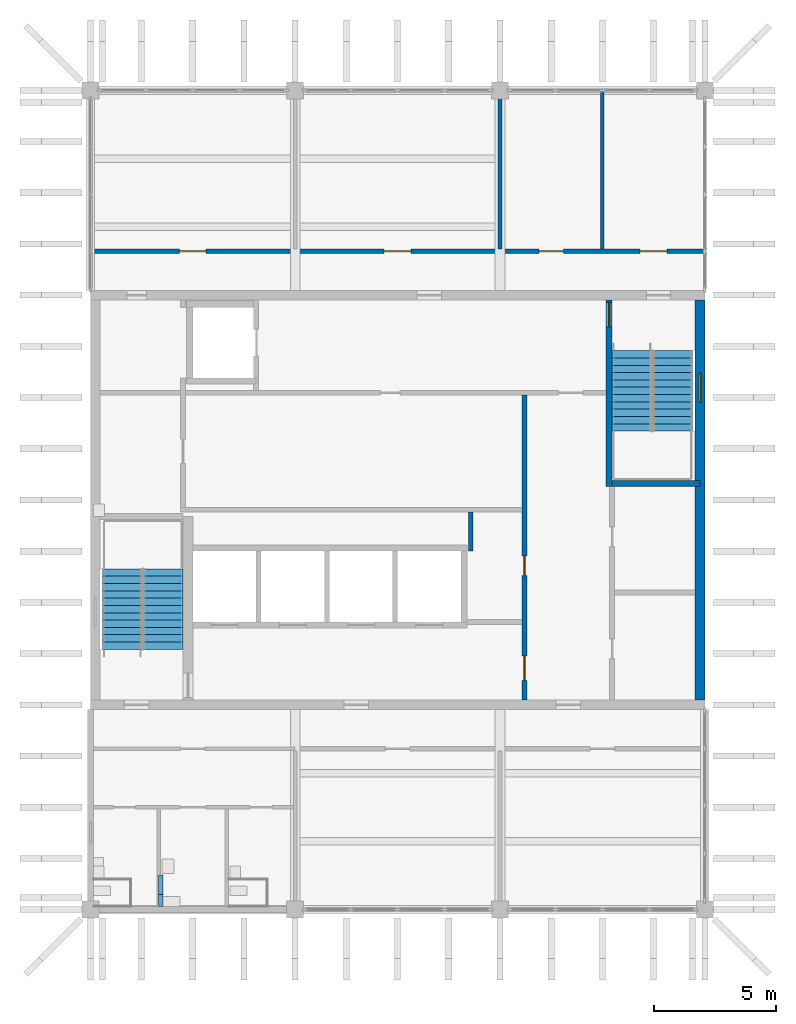
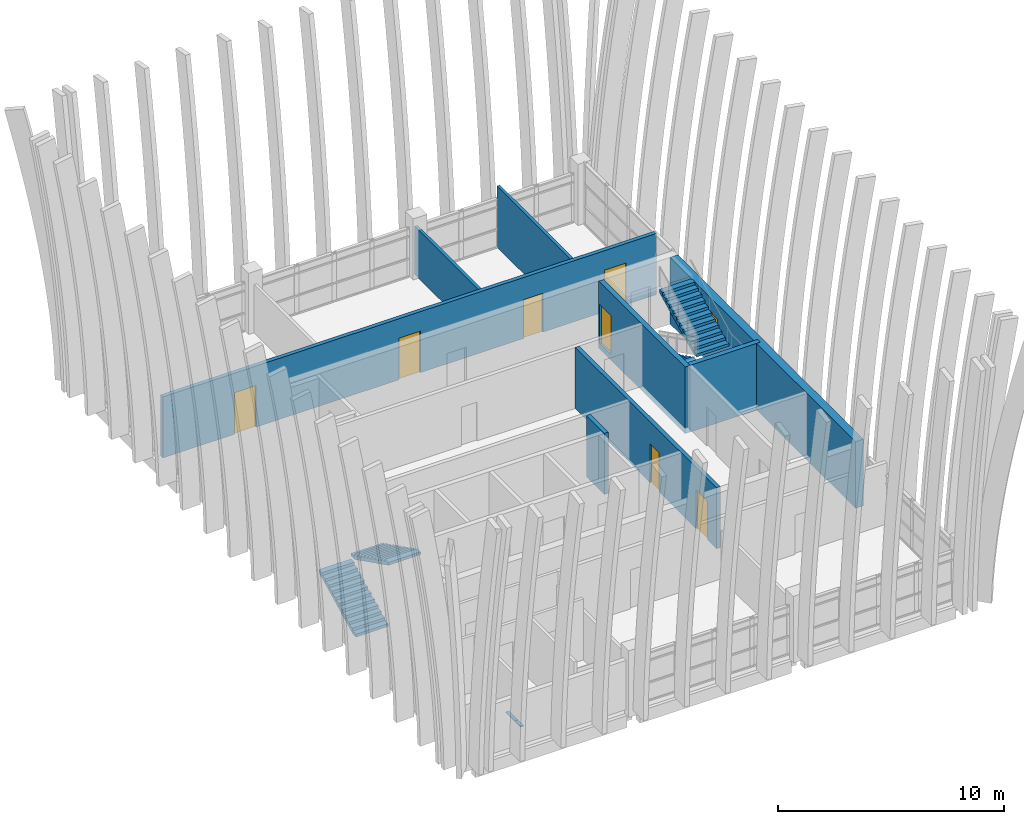
# One storey, part 7 of 19: 8 walls, 7 doors, 4 stair flights, 2 discrete accessories, 1 window, 8 openings, 2 elements without a shape of their own.
"""IFC4 building model written with IfcOpenShell, lengths in metres."""

import ifcopenshell
import ifcopenshell.guid

model = None  # the IFC model being written
_history = None  # IfcOwnerHistory: only IFC2X3 demands one
_inside = {}  # id of a spatial element -> (the spatial element, [elements in it])
_under = {}  # id of a project, library or spatial element -> (it, [spatial elements below it])
_declared = {}  # id of a project -> (the project, [libraries it declares])
_typed = {}  # id of a type object -> (the type object, [elements of that type])
_made_of = {}  # id of a material, layer set ... -> (it, [elements and type objects made of it])


def new_model(schema):
    """Start an empty IFC model of exactly this schema.

    Asked for "IFC4X3", IfcOpenShell would pick the latest addendum, in which some entities
    have other attributes; the version numbers below select the first issue.
    IFC2X3 requires an IfcOwnerHistory on every rooted entity: one is made here for all.
    """
    global model, _history
    if schema == "IFC4X3":
        model = ifcopenshell.file(schema_version=(4, 3, 0, 0))
    else:
        model = ifcopenshell.file(schema=schema)
    _inside.clear()
    _under.clear()
    _declared.clear()
    _typed.clear()
    _made_of.clear()
    _history = None
    if model.schema == "IFC2X3":
        org = make("IfcOrganization", Name="unknown")
        user = make(
            "IfcPersonAndOrganization",
            ThePerson=make("IfcPerson", FamilyName="unknown"),
            TheOrganization=org,
        )
        app = make(
            "IfcApplication",
            ApplicationDeveloper=org,
            Version="unknown",
            ApplicationFullName="unknown",
            ApplicationIdentifier="unknown",
        )
        _history = make(
            "IfcOwnerHistory",
            OwningUser=user,
            OwningApplication=app,
            ChangeAction="ADDED",
            CreationDate=0,
        )
    return model


def make(cls, **values):
    """One entity of the class cls with the attributes given. An attribute that is None is left unset."""
    return model.create_entity(
        cls, **{name: value for name, value in values.items() if value is not None}
    )


def rooted(cls, **values):
    """An entity with a GlobalId (a new one), such as an element, a storey or a relation."""
    return make(cls, GlobalId=ifcopenshell.guid.new(), OwnerHistory=_history, **values)


def si_unit(unit_type, name, prefix=None):
    """IfcSIUnit, for example si_unit("LENGTHUNIT", "METRE", prefix="MILLI")."""
    return make("IfcSIUnit", UnitType=unit_type, Prefix=prefix, Name=name)


def assignment(units):
    """IfcUnitAssignment: the units of a project."""
    return None if units is None else make("IfcUnitAssignment", Units=units)


def point(xyz):
    """IfcCartesianPoint."""
    return None if xyz is None else make("IfcCartesianPoint", Coordinates=xyz)


def direction(xyz):
    """IfcDirection."""
    return None if xyz is None else make("IfcDirection", DirectionRatios=xyz)


def frame(location, z_axis=None, x_axis=None):
    """IfcAxis2Placement3D, a coordinate frame: its origin and axes. An axis left out is left unset."""
    return make(
        "IfcAxis2Placement3D",
        Location=point(location),
        Axis=direction(z_axis),
        RefDirection=direction(x_axis),
    )


def frame_2d(location, x_axis=None):
    """IfcAxis2Placement2D, a coordinate frame in the plane: its origin and x axis."""
    return make(
        "IfcAxis2Placement2D", Location=point(location), RefDirection=direction(x_axis)
    )


def origin():
    """The frame at (0, 0, 0) with its axes left unset."""
    return frame((0.0, 0.0, 0.0))


def origin_2d():
    """The frame at (0, 0) in the plane with its x axis left unset."""
    return frame_2d((0.0, 0.0))


def place(relative_to, where):
    """IfcLocalPlacement: puts the frame where relative to a parent placement (None: the world)."""
    return make(
        "IfcLocalPlacement", PlacementRelTo=relative_to, RelativePlacement=where
    )


def context(
    kind, dimensions, precision=None, world=None, true_north=None, identifier=None
):
    """IfcGeometricRepresentationContext, for example the 3D "Model" context."""
    return make(
        "IfcGeometricRepresentationContext",
        ContextIdentifier=identifier,
        ContextType=kind,
        CoordinateSpaceDimension=dimensions,
        Precision=precision,
        WorldCoordinateSystem=world,
        TrueNorth=true_north,
    )


def subcontext(parent, identifier, kind, view, scale=None):
    """IfcGeometricRepresentationSubContext, for example "Body" below "Model"."""
    return make(
        "IfcGeometricRepresentationSubContext",
        ContextIdentifier=identifier,
        ContextType=kind,
        ParentContext=parent,
        TargetScale=scale,
        TargetView=view,
    )


def project(units=None, contexts=None):
    """IfcProject with its units and contexts."""
    return rooted(
        "IfcProject",
        Name="project",
        RepresentationContexts=contexts,
        UnitsInContext=assignment(units),
    )


def spatial(cls, under=None, at=None, **own):
    """A site, building, storey or space (cls), placed at a placement, below another one or the project."""
    s = rooted(cls, ObjectPlacement=at, **own)
    if under is not None:
        _under.setdefault(under.id(), (under, []))[1].append(s)
    return s


def polyline(points):
    """IfcPolyline through the points."""
    return make("IfcPolyline", Points=[point(p) for p in points])


def profile(cls, at=None, kind="AREA", **sizes):
    """A parametric profile (cls). Its sizes go by their IFC names, for example OverallWidth=200.0."""
    return make(cls, ProfileType=kind, Position=at, **sizes)


def rectangle(**sizes):
    """IfcRectangleProfileDef."""
    return profile("IfcRectangleProfileDef", **sizes)


def outline(outer, holes=None, kind="AREA"):
    """IfcArbitraryClosedProfileDef: a profile drawn as a closed curve; with holes, ...WithVoids."""
    if holes is None:
        return make("IfcArbitraryClosedProfileDef", ProfileType=kind, OuterCurve=outer)
    return make(
        "IfcArbitraryProfileDefWithVoids",
        ProfileType=kind,
        OuterCurve=outer,
        InnerCurves=holes,
    )


def extrude(swept, where, along, depth):
    """IfcExtrudedAreaSolid: the profile swept, set in the frame where, extruded along a direction by depth."""
    return make(
        "IfcExtrudedAreaSolid",
        SweptArea=swept,
        Position=where,
        ExtrudedDirection=direction(along),
        Depth=depth,
    )


def shape(context_of_items, identifier, shape_type, items):
    """IfcShapeRepresentation: the items that make up one representation, for example the "Body"."""
    return make(
        "IfcShapeRepresentation",
        ContextOfItems=context_of_items,
        RepresentationIdentifier=identifier,
        RepresentationType=shape_type,
        Items=items,
    )


def material(Name=None, Category=None):
    """IfcMaterial."""
    return make("IfcMaterial", Name=Name, Category=Category)


def layer(
    of_material, thickness, ventilated=None, Name=None, Category=None, Priority=None
):
    """IfcMaterialLayer: one layer of a wall or slab, of a material (None: an air gap)."""
    return make(
        "IfcMaterialLayer",
        Material=of_material,
        LayerThickness=thickness,
        IsVentilated=ventilated,
        Name=Name,
        Category=Category,
        Priority=Priority,
    )


def layer_set(layers, Name=None):
    """IfcMaterialLayerSet."""
    return make("IfcMaterialLayerSet", MaterialLayers=layers, LayerSetName=Name)


def made_of(thing, what):
    """Note that an element or type object is made of a material, layer set ...; save() writes the relation."""
    if what is not None:
        _made_of.setdefault(what.id(), (what, []))[1].append(thing)
    return thing


def type_object(cls, material=None, **own):
    """A type object (cls), such as IfcWallType, which elements share."""
    return made_of(rooted(cls, **own), material)


def element(
    cls,
    number,
    at=None,
    inside=None,
    cuts=None,
    type_object=None,
    material=None,
    context=None,
    identifier="Body",
    shape_type=None,
    held_by="IfcProductDefinitionShape",
    body=None,
    shapes=None,
    **own,
):
    """One element of the class cls, such as IfcWall. Its Tag is "e" and its number.

    at: its placement. inside: the storey or other place that contains it. cuts: it is an
    opening in that element (IfcRelVoidsElement). A single representation is given by context,
    identifier, shape_type and body (its items); several are given by shapes. held_by: the class
    of the entity that holds the representations. save() writes the other relations.
    """
    e = rooted(cls, Tag="e%d" % number, ObjectPlacement=at, **own)
    if body is not None:
        shapes = [shape(context, identifier, shape_type, body)]
    if shapes is not None:
        e.Representation = make(held_by, Representations=shapes)
    if inside is not None:
        _inside.setdefault(inside.id(), (inside, []))[1].append(e)
    if cuts is not None:
        rooted(
            "IfcRelVoidsElement", RelatingBuildingElement=cuts, RelatedOpeningElement=e
        )
    if type_object is not None:
        _typed.setdefault(type_object.id(), (type_object, []))[1].append(e)
    return made_of(e, material)


def fill(opening, filler):
    """IfcRelFillsElement: the door or window that sits in an opening."""
    return rooted(
        "IfcRelFillsElement",
        RelatingOpeningElement=opening,
        RelatedBuildingElement=filler,
    )


def aggregate(whole, parts):
    """IfcRelAggregates: a whole, such as a stair, and the parts it consists of."""
    return rooted("IfcRelAggregates", RelatingObject=whole, RelatedObjects=parts)


def save(model, path):
    """Write the relations noted so far, then the file.

    IfcRelAggregates (storeys below a building ...), IfcRelContainedInSpatialStructure (elements
    in a storey), IfcRelDefinesByType, IfcRelAssociatesMaterial and IfcRelDeclares: one each for
    every whole, place, type object, material and project.
    """
    for whole, parts in _under.values():
        aggregate(whole, parts)
    for where, things in _inside.values():
        rooted(
            "IfcRelContainedInSpatialStructure",
            RelatedElements=things,
            RelatingStructure=where,
        )
    for kind, things in _typed.values():
        rooted("IfcRelDefinesByType", RelatedObjects=things, RelatingType=kind)
    for what, things in _made_of.values():
        rooted("IfcRelAssociatesMaterial", RelatedObjects=things, RelatingMaterial=what)
    for by, libraries in _declared.values():
        rooted("IfcRelDeclares", RelatingContext=by, RelatedDefinitions=libraries)
    model.write(path)


model = new_model("IFC4")

# Units and contexts
model_context = context("Model", 3, precision=1e-05, world=origin(), true_north=direction((0.0, 1.0)))
body_context = subcontext(model_context, "Body", "Model", "MODEL_VIEW")
ifc_project = project(units=[si_unit("LENGTHUNIT", "METRE"), si_unit("AREAUNIT", "SQUARE_METRE"), si_unit("VOLUMEUNIT", "CUBIC_METRE"), si_unit("PLANEANGLEUNIT", "RADIAN"), si_unit("MASSUNIT", "GRAM", prefix="KILO")], contexts=[model_context])

# Site, building, storey
site_placement = place(None, origin())
site = spatial("IfcSite", under=ifc_project, at=site_placement, CompositionType="ELEMENT")
building_placement = place(site_placement, origin())
building = spatial("IfcBuilding", under=site, at=building_placement, Name="Rulbaag Community and Learning Centre", CompositionType="ELEMENT")
storey_placement = place(building_placement, frame((0.0, 0.0, 57.60009765625)))
storey = spatial("IfcBuildingStorey", under=building, at=storey_placement, Name="L15", CompositionType="ELEMENT", Elevation=57.60009765625)

# Wall, openings, doors
ifc_material_1 = material(Name="Concrete blockwork", Category="masonry")
ifc_layer_1 = layer(ifc_material_1, 0.199951171875)
ifc_layer_set_1 = layer_set([ifc_layer_1], Name="FW-200 FIRE WALL 200")
wall_type_1 = type_object("IfcWallType", Name="FW-200 FIRE WALL 200", PredefinedType="SOLIDWALL", material=ifc_layer_set_1)
wall_1_placement = place(storey_placement, frame((142.800048828125, 111.0, 0.0), z_axis=(0.0, 0.0, 1.0), x_axis=(1.0, 0.0, 0.0)))
wall_1 = element("IfcWall", 1, at=wall_1_placement, inside=storey, type_object=wall_type_1, Name="Fire wall L15 10", PredefinedType="SOLIDWALL", context=body_context, shape_type="SweptSolid", body=[
    extrude(rectangle(XDim=25.199951171875, YDim=0.199951171875, at=frame_2d((12.60009765625, 0.0))), origin(), (0.0, 0.0, 1.0), 3.2998046875),
])
opening_1_placement = place(wall_1_placement, frame((3.64990234375, 0.0, 0.0)))
opening_1 = element("IfcOpeningElement", 2, at=opening_1_placement, cuts=wall_1, Name="Opening L15-D009", PredefinedType="OPENING", context=body_context, shape_type="SweptSolid", body=[
    extrude(rectangle(XDim=1.10009765625, YDim=2.25, at=frame_2d((0.550048828125, 1.125))), frame((0.0, 0.10986328125, 0.0), z_axis=(0.0, -1.0, 0.0), x_axis=(1.0, 0.0, 0.0)), (0.0, 0.0, 1.0), 0.219970703125),
])
opening_2_placement = place(wall_1_placement, frame((12.050048828125, 0.0, 0.0)))
opening_2 = element("IfcOpeningElement", 3, at=opening_2_placement, cuts=wall_1, Name="Opening L15-D019", PredefinedType="OPENING", context=body_context, shape_type="SweptSolid", body=[
    extrude(rectangle(XDim=1.10009765625, YDim=2.25, at=frame_2d((0.550048828125, 1.125))), frame((0.0, 0.10986328125, 0.0), z_axis=(0.0, -1.0, 0.0), x_axis=(1.0, 0.0, 0.0)), (0.0, 0.0, 1.0), 0.219970703125),
])
opening_3_placement = place(wall_1_placement, frame((18.39990234375, 0.0, 0.0)))
opening_3 = element("IfcOpeningElement", 4, at=opening_3_placement, cuts=wall_1, Name="Opening L15-D024", PredefinedType="OPENING", context=body_context, shape_type="SweptSolid", body=[
    extrude(rectangle(XDim=1.0, YDim=2.10009765625, at=frame_2d((0.5, 1.050048828125))), frame((0.0, 0.10986328125, 0.0), z_axis=(0.0, -1.0, 0.0), x_axis=(1.0, 0.0, 0.0)), (0.0, 0.0, 1.0), 0.219970703125),
])
opening_4_placement = place(wall_1_placement, frame((22.550048828125, 0.0, 0.0)))
opening_4 = element("IfcOpeningElement", 5, at=opening_4_placement, cuts=wall_1, Name="Opening L15-D031", PredefinedType="OPENING", context=body_context, shape_type="SweptSolid", body=[
    extrude(rectangle(XDim=1.10009765625, YDim=2.25, at=frame_2d((0.550048828125, 1.125))), frame((0.0, 0.10986328125, 0.0), z_axis=(0.0, -1.0, 0.0), x_axis=(1.0, 0.0, 0.0)), (0.0, 0.0, 1.0), 0.219970703125),
])
ifc_material_2 = material(Name="Timber", Category="wood")
door_type_1 = type_object("IfcDoorType", Name="D-1100 OFFICE SUITE ENTRANCE DOOR 1100 x 2250", OperationType="SINGLE_SWING_LEFT", PredefinedType="DOOR", material=ifc_material_2)
door_1_placement = place(opening_1_placement, origin())
door_1 = element("IfcDoor", 6, at=door_1_placement, inside=storey, type_object=door_type_1, Name="Door L15-D009", OperationType="SINGLE_SWING_RIGHT", OverallHeight=2.25, OverallWidth=1.10009765625, PredefinedType="DOOR", context=body_context, shape_type="SweptSolid", body=[
    extrude(rectangle(XDim=1.10009765625, YDim=2.25, at=frame_2d((0.550048828125, 1.125))), frame((0.0, 0.02490234375, 0.0), z_axis=(0.0, -1.0, 0.0), x_axis=(1.0, 0.0, 0.0)), (0.0, 0.0, 1.0), 0.050048828125),
])
fill(opening_1, door_1)
door_2_placement = place(opening_2_placement, origin())
door_2 = element("IfcDoor", 7, at=door_2_placement, inside=storey, type_object=door_type_1, Name="Door L15-D019", OperationType="SINGLE_SWING_RIGHT", OverallHeight=2.25, OverallWidth=1.10009765625, PredefinedType="DOOR", context=body_context, shape_type="SweptSolid", body=[
    extrude(rectangle(XDim=1.10009765625, YDim=2.25, at=frame_2d((0.550048828125, 1.125))), frame((0.0, 0.02490234375, 0.0), z_axis=(0.0, -1.0, 0.0), x_axis=(1.0, 0.0, 0.0)), (0.0, 0.0, 1.0), 0.050048828125),
])
fill(opening_2, door_2)
door_3_placement = place(opening_4_placement, origin())
door_3 = element("IfcDoor", 8, at=door_3_placement, inside=storey, type_object=door_type_1, Name="Door L15-D031", OperationType="SINGLE_SWING_LEFT", OverallHeight=2.25, OverallWidth=1.10009765625, PredefinedType="DOOR", context=body_context, shape_type="SweptSolid", body=[
    extrude(rectangle(XDim=1.10009765625, YDim=2.25, at=frame_2d((0.550048828125, 1.125))), frame((0.0, 0.02490234375, 0.0), z_axis=(0.0, -1.0, 0.0), x_axis=(1.0, 0.0, 0.0)), (0.0, 0.0, 1.0), 0.050048828125),
])
fill(opening_4, door_3)
ifc_material_3 = material(Name="Galvanised steel", Category="steel")
door_type_2 = type_object("IfcDoorType", Name="FD-1000 FIRE DOOR 1000 x 2100", OperationType="SINGLE_SWING_LEFT", PredefinedType="DOOR", material=ifc_material_3)
door_4_placement = place(opening_3_placement, origin())
door_4 = element("IfcDoor", 9, at=door_4_placement, inside=storey, type_object=door_type_2, Name="Door L15-D024", OperationType="SINGLE_SWING_LEFT", OverallHeight=2.10009765625, OverallWidth=1.0, PredefinedType="DOOR", context=body_context, shape_type="SweptSolid", body=[
    extrude(rectangle(XDim=1.0, YDim=2.10009765625, at=frame_2d((0.5, 1.050048828125))), frame((0.0, 0.02490234375, 0.0), z_axis=(0.0, -1.0, 0.0), x_axis=(1.0, 0.0, 0.0)), (0.0, 0.0, 1.0), 0.050048828125),
])
fill(opening_3, door_4)

# Wall
wall_2_placement = place(storey_placement, frame((158.39990234375, 98.699951171875, 0.0), z_axis=(0.0, 0.0, 1.0), x_axis=(0.0, 1.0, 0.0)))
element("IfcWall", 10, at=wall_2_placement, inside=storey, type_object=wall_type_1, Name="Fire wall L15 18", PredefinedType="SOLIDWALL", context=body_context, shape_type="SweptSolid", body=[
    extrude(rectangle(XDim=1.60009765625, YDim=0.199951171875, at=frame_2d((0.800048828125, 0.0))), origin(), (0.0, 0.0, 1.0), 3.2998046875),
])

# Wall, openings, doors
wall_3_placement = place(storey_placement, frame((160.60009765625, 92.60009765625, 0.0), z_axis=(0.0, 0.0, 1.0), x_axis=(0.0, 1.0, 0.0)))
wall_3 = element("IfcWall", 11, at=wall_3_placement, inside=storey, type_object=wall_type_1, Name="Fire wall L15 21", PredefinedType="SOLIDWALL", context=body_context, shape_type="SweptSolid", body=[
    extrude(rectangle(XDim=12.5, YDim=0.199951171875, at=frame_2d((6.25, 0.0))), origin(), (0.0, 0.0, 1.0), 3.2998046875),
])
opening_5_placement = place(wall_3_placement, frame((5.10009765625, 0.0, 0.0)))
opening_5 = element("IfcOpeningElement", 12, at=opening_5_placement, cuts=wall_3, Name="Opening L15-D023", PredefinedType="OPENING", context=body_context, shape_type="SweptSolid", body=[
    extrude(rectangle(XDim=0.800048828125, YDim=2.10009765625, at=frame_2d((0.39990234375, 1.050048828125))), frame((0.0, 0.10986328125, 0.0), z_axis=(0.0, -1.0, 0.0), x_axis=(1.0, 0.0, 0.0)), (0.0, 0.0, 1.0), 0.219970703125),
])
opening_6_placement = place(wall_3_placement, frame((0.800048828125, 0.0, 0.0)))
opening_6 = element("IfcOpeningElement", 13, at=opening_6_placement, cuts=wall_3, Name="Opening L15-D022", PredefinedType="OPENING", context=body_context, shape_type="SweptSolid", body=[
    extrude(rectangle(XDim=1.0, YDim=2.10009765625, at=frame_2d((0.5, 1.050048828125))), frame((0.0, 0.10986328125, 0.0), z_axis=(0.0, -1.0, 0.0), x_axis=(1.0, 0.0, 0.0)), (0.0, 0.0, 1.0), 0.219970703125),
])
door_5_placement = place(opening_6_placement, origin())
door_5 = element("IfcDoor", 14, at=door_5_placement, inside=storey, type_object=door_type_2, Name="Door L15-D022", OperationType="SINGLE_SWING_LEFT", OverallHeight=2.10009765625, OverallWidth=1.0, PredefinedType="DOOR", context=body_context, shape_type="SweptSolid", body=[
    extrude(rectangle(XDim=1.0, YDim=2.10009765625, at=frame_2d((0.5, 1.050048828125))), frame((0.0, 0.02490234375, 0.0), z_axis=(0.0, -1.0, 0.0), x_axis=(1.0, 0.0, 0.0)), (0.0, 0.0, 1.0), 0.050048828125),
])
fill(opening_6, door_5)
door_type_3 = type_object("IfcDoorType", Name="FDR-800 RISER FIRE DOOR 800 x 2100", OperationType="SINGLE_SWING_LEFT", PredefinedType="DOOR", material=ifc_material_3)
door_6_placement = place(opening_5_placement, origin())
door_6 = element("IfcDoor", 15, at=door_6_placement, inside=storey, type_object=door_type_3, Name="Riser door L15-D021", OperationType="SINGLE_SWING_RIGHT", OverallHeight=2.10009765625, OverallWidth=0.800048828125, PredefinedType="DOOR", context=body_context, shape_type="SweptSolid", body=[
    extrude(rectangle(XDim=0.800048828125, YDim=2.10009765625, at=frame_2d((0.39990234375, 1.050048828125))), frame((0.0, 0.02490234375, 0.0), z_axis=(0.0, -1.0, 0.0), x_axis=(1.0, 0.0, 0.0)), (0.0, 0.0, 1.0), 0.050048828125),
])
fill(opening_5, door_6)

# Walls
ifc_layer_2 = layer(ifc_material_1, 0.14990234375)
ifc_layer_set_2 = layer_set([ifc_layer_2], Name="IP-150 PARTITION 150")
wall_type_2 = type_object("IfcWallType", Name="IP-150 PARTITION 150", PredefinedType="PARTITIONING", material=ifc_layer_set_2)
wall_4_placement = place(storey_placement, frame((159.60009765625, 111.10009765625, 0.0), z_axis=(0.0, 0.0, 1.0), x_axis=(0.0, 1.0, 0.0)))
element("IfcWall", 16, at=wall_4_placement, inside=storey, type_object=wall_type_2, Name="Partition L15 20", PredefinedType="PARTITIONING", context=body_context, shape_type="SweptSolid", body=[
    extrude(rectangle(XDim=6.5, YDim=0.14990234375, at=frame_2d((3.25, 0.0))), origin(), (0.0, 0.0, 1.0), 2.599853515625),
])
wall_5_placement = place(storey_placement, frame((163.800048828125, 111.10009765625, 0.0), z_axis=(0.0, 0.0, 1.0), x_axis=(0.0, 1.0, 0.0)))
element("IfcWall", 17, at=wall_5_placement, inside=storey, type_object=wall_type_2, Name="Partition L15 22", PredefinedType="PARTITIONING", context=body_context, shape_type="SweptSolid", body=[
    extrude(rectangle(XDim=6.5, YDim=0.14990234375, at=frame_2d((3.25, 0.0))), origin(), (0.0, 0.0, 1.0), 3.2998046875),
])

# Wall, opening, window
ifc_material_4 = material(Name="Concrete M60", Category="concrete")
ifc_layer_3 = layer(ifc_material_4, 0.39990234375)
ifc_layer_set_3 = layer_set([ifc_layer_3], Name="W2 Core wall 400 Concrete M60")
wall_type_3 = type_object("IfcWallType", Name="W2 Core wall 400 Concrete M60", PredefinedType="SHEAR", material=ifc_layer_set_3)
wall_6_placement = place(storey_placement, frame((167.800048828125, 92.60009765625, -0.300048828125), z_axis=(0.0, 0.0, 1.0), x_axis=(0.0, 1.0, 0.0)))
wall_6 = element("IfcWall", 18, at=wall_6_placement, inside=storey, type_object=wall_type_3, Name="WL-CORE-E-L15", PredefinedType="SHEAR", context=body_context, shape_type="SweptSolid", body=[
    extrude(rectangle(XDim=16.39990234375, YDim=0.39990234375, at=frame_2d((8.199951171875, 0.0))), origin(), (0.0, 0.0, 1.0), 3.599853515625),
])
opening_7_placement = place(wall_6_placement, frame((12.199951171875, 0.0, 1.89990234375)))
opening_7 = element("IfcOpeningElement", 19, at=opening_7_placement, cuts=wall_6, Name="Opening WN19", PredefinedType="OPENING", context=body_context, shape_type="SweptSolid", body=[
    extrude(rectangle(XDim=1.199951171875, YDim=0.89990234375, at=frame_2d((0.60009765625, 0.449951171875))), frame((0.0, 0.2099609375, 0.0), z_axis=(0.0, -1.0, 0.0), x_axis=(1.0, 0.0, 0.0)), (0.0, 0.0, 1.0), 0.419921875),
])
ifc_material_5 = material(Name="Aluminium", Category="aluminium")
window_type = type_object("IfcWindowType", Name="WS-12", PartitioningType="SINGLE_PANEL", PredefinedType="WINDOW", material=ifc_material_5)
window_placement = place(opening_7_placement, origin())
window = element("IfcWindow", 20, at=window_placement, inside=storey, type_object=window_type, Name="Stair window", OverallHeight=0.89990234375, OverallWidth=1.199951171875, PartitioningType="SINGLE_PANEL", PredefinedType="WINDOW", context=body_context, shape_type="SweptSolid", body=[
    extrude(rectangle(XDim=1.199951171875, YDim=0.89990234375, at=frame_2d((0.60009765625, 0.449951171875))), frame((0.0, 0.030029296875, 0.0), z_axis=(0.0, -1.0, 0.0), x_axis=(1.0, 0.0, 0.0)), (0.0, 0.0, 1.0), 0.06005859375),
])
fill(opening_7, window)

# Wall, opening, door
ifc_material_6 = material(Name="Concrete M40", Category="concrete")
ifc_layer_4 = layer(ifc_material_6, 0.25)
ifc_layer_set_4 = layer_set([ifc_layer_4], Name="W5 Shaft wall 250 Concrete M40")
wall_type_4 = type_object("IfcWallType", Name="W5 Shaft wall 250 Concrete M40", PredefinedType="SHEAR", material=ifc_layer_set_4)
wall_7_placement = place(storey_placement, frame((164.074951171875, 101.35009765625, -0.300048828125), z_axis=(0.0, 0.0, 1.0), x_axis=(0.0, 1.0, 0.0)))
wall_7 = element("IfcWall", 21, at=wall_7_placement, inside=storey, type_object=wall_type_4, Name="WL-ST2-W-L15", PredefinedType="SHEAR", context=body_context, shape_type="SweptSolid", body=[
    extrude(rectangle(XDim=7.64990234375, YDim=0.25, at=frame_2d((3.824951171875, 0.0))), origin(), (0.0, 0.0, 1.0), 3.599853515625),
])
opening_8_placement = place(wall_7_placement, frame((6.550048828125, 0.0, 0.300048828125)))
opening_8 = element("IfcOpeningElement", 22, at=opening_8_placement, cuts=wall_7, Name="Opening L15-D028", PredefinedType="OPENING", context=body_context, shape_type="SweptSolid", body=[
    extrude(rectangle(XDim=1.0, YDim=2.10009765625, at=frame_2d((0.5, 1.050048828125))), frame((0.0, 0.135009765625, 0.0), z_axis=(0.0, -1.0, 0.0), x_axis=(1.0, 0.0, 0.0)), (0.0, 0.0, 1.0), 0.27001953125),
])
door_7_placement = place(opening_8_placement, origin())
door_7 = element("IfcDoor", 23, at=door_7_placement, inside=storey, type_object=door_type_2, Name="Door L15-D028", OperationType="SINGLE_SWING_LEFT", OverallHeight=2.10009765625, OverallWidth=1.0, PredefinedType="DOOR", context=body_context, shape_type="SweptSolid", body=[
    extrude(rectangle(XDim=1.0, YDim=2.10009765625, at=frame_2d((0.5, 1.050048828125))), frame((0.0, 0.02490234375, 0.0), z_axis=(0.0, -1.0, 0.0), x_axis=(1.0, 0.0, 0.0)), (0.0, 0.0, 1.0), 0.050048828125),
])
fill(opening_8, door_7)

# Wall
wall_8_placement = place(storey_placement, frame((164.199951171875, 101.47509765625, -0.300048828125), z_axis=(0.0, 0.0, 1.0), x_axis=(1.0, 0.0, 0.0)))
element("IfcWall", 24, at=wall_8_placement, inside=storey, type_object=wall_type_4, Name="WL-ST2-S-L15", PredefinedType="SHEAR", context=body_context, shape_type="SweptSolid", body=[
    extrude(rectangle(XDim=3.60009765625, YDim=0.25, at=frame_2d((1.800048828125, 0.0))), origin(), (0.0, 0.0, 1.0), 3.599853515625),
])

# Stair, stair flights
stair_type = type_object("IfcStairType", Name="ST-1650 STAIR 1650 WIDE", PredefinedType="HALF_TURN_STAIR", material=ifc_material_6)
stair_1_placement = place(storey_placement, origin())
stair_1 = element("IfcStair", 25, at=stair_1_placement, inside=storey, type_object=stair_type, Name="Stair ST1 L15", PredefinedType="HALF_TURN_STAIR")
stair_flight_type = type_object("IfcStairFlightType", Name="FL-1650 FLIGHT 1650 WIDE Concrete M40", PredefinedType="STRAIGHT", material=ifc_material_6)
stair_flight_1_placement = place(storey_placement, frame((144.125, 94.675048828125, 0.0), z_axis=(0.0, 0.0, 1.0), x_axis=(0.0, 1.0, 0.0)))
stair_flight_1 = element("IfcStairFlight", 26, at=stair_flight_1_placement, type_object=stair_flight_type, Name="ST1 flight 1", NumberOfRisers=12, NumberOfTreads=11, PredefinedType="STRAIGHT", RiserHeight=0.15, TreadLength=0.3, context=body_context, shape_type="SweptSolid", body=[
    extrude(outline(polyline([(0.0, 0.0), (0.0, 0.14990234375), (0.300048828125, 0.14990234375), (0.300048828125, 0.300048828125), (0.60009765625, 0.300048828125), (0.60009765625, 0.449951171875), (0.89990234375, 0.449951171875), (0.89990234375, 0.60009765625), (1.199951171875, 0.60009765625), (1.199951171875, 0.75), (1.5, 0.75), (1.5, 0.89990234375), (1.800048828125, 0.89990234375), (1.800048828125, 1.050048828125), (2.10009765625, 1.050048828125), (2.10009765625, 1.199951171875), (2.39990234375, 1.199951171875), (2.39990234375, 1.35009765625), (2.699951171875, 1.35009765625), (2.699951171875, 1.5), (3.0, 1.5), (3.0, 1.64990234375), (3.300048828125, 1.64990234375), (3.300048828125, 1.49365234375), (0.312744140625, 0.0), (0.0, 0.0)])), frame((0.0, 0.824951171875, 0.0), z_axis=(0.0, -1.0, 0.0), x_axis=(1.0, 0.0, 0.0)), (0.0, 0.0, 1.0), 1.64990234375),
])
stair_flight_2_placement = place(storey_placement, frame((145.77490234375, 97.97509765625, 1.7998046875), z_axis=(0.0, 0.0, 1.0), x_axis=(0.0, -1.0, 0.0)))
stair_flight_2 = element("IfcStairFlight", 27, at=stair_flight_2_placement, type_object=stair_flight_type, Name="ST1 flight 2", NumberOfRisers=12, NumberOfTreads=11, PredefinedType="STRAIGHT", RiserHeight=0.15, TreadLength=0.3, context=body_context, shape_type="SweptSolid", body=[
    extrude(outline(polyline([(0.0, 0.0), (0.0, 0.14990234375), (0.300048828125, 0.14990234375), (0.300048828125, 0.300048828125), (0.60009765625, 0.300048828125), (0.60009765625, 0.449951171875), (0.89990234375, 0.449951171875), (0.89990234375, 0.60009765625), (1.199951171875, 0.60009765625), (1.199951171875, 0.75), (1.5, 0.75), (1.5, 0.89990234375), (1.800048828125, 0.89990234375), (1.800048828125, 1.050048828125), (2.10009765625, 1.050048828125), (2.10009765625, 1.199951171875), (2.39990234375, 1.199951171875), (2.39990234375, 1.35009765625), (2.699951171875, 1.35009765625), (2.699951171875, 1.5), (3.0, 1.5), (3.0, 1.64990234375), (3.300048828125, 1.64990234375), (3.300048828125, 1.49365234375), (0.312744140625, 0.0), (0.0, 0.0)])), frame((0.0, 0.824951171875, 0.0), z_axis=(0.0, -1.0, 0.0), x_axis=(1.0, 0.0, 0.0)), (0.0, 0.0, 1.0), 1.64990234375),
])
aggregate(stair_1, [stair_flight_1, stair_flight_2])

stair_2_placement = place(storey_placement, origin())
stair_2 = element("IfcStair", 28, at=stair_2_placement, inside=storey, type_object=stair_type, Name="Stair ST2 L15", PredefinedType="HALF_TURN_STAIR")
stair_flight_3_placement = place(storey_placement, frame((165.02490234375, 106.925048828125, 0.0), z_axis=(0.0, 0.0, 1.0), x_axis=(0.0, -1.0, 0.0)))
stair_flight_3 = element("IfcStairFlight", 29, at=stair_flight_3_placement, type_object=stair_flight_type, Name="ST2 flight 1", NumberOfRisers=12, NumberOfTreads=11, PredefinedType="STRAIGHT", RiserHeight=0.15, TreadLength=0.3, context=body_context, shape_type="SweptSolid", body=[
    extrude(outline(polyline([(0.0, 0.0), (0.0, 0.14990234375), (0.300048828125, 0.14990234375), (0.300048828125, 0.300048828125), (0.60009765625, 0.300048828125), (0.60009765625, 0.449951171875), (0.89990234375, 0.449951171875), (0.89990234375, 0.60009765625), (1.199951171875, 0.60009765625), (1.199951171875, 0.75), (1.5, 0.75), (1.5, 0.89990234375), (1.800048828125, 0.89990234375), (1.800048828125, 1.050048828125), (2.10009765625, 1.050048828125), (2.10009765625, 1.199951171875), (2.39990234375, 1.199951171875), (2.39990234375, 1.35009765625), (2.699951171875, 1.35009765625), (2.699951171875, 1.5), (3.0, 1.5), (3.0, 1.64990234375), (3.300048828125, 1.64990234375), (3.300048828125, 1.49365234375), (0.312744140625, 0.0), (0.0, 0.0)])), frame((0.0, 0.824951171875, 0.0), z_axis=(0.0, -1.0, 0.0), x_axis=(1.0, 0.0, 0.0)), (0.0, 0.0, 1.0), 1.64990234375),
])
stair_flight_4_placement = place(storey_placement, frame((166.675048828125, 103.625, 1.7998046875), z_axis=(0.0, 0.0, 1.0), x_axis=(0.0, 1.0, 0.0)))
stair_flight_4 = element("IfcStairFlight", 30, at=stair_flight_4_placement, type_object=stair_flight_type, Name="ST2 flight 2", NumberOfRisers=12, NumberOfTreads=11, PredefinedType="STRAIGHT", RiserHeight=0.15, TreadLength=0.3, context=body_context, shape_type="SweptSolid", body=[
    extrude(outline(polyline([(0.0, 0.0), (0.0, 0.14990234375), (0.300048828125, 0.14990234375), (0.300048828125, 0.300048828125), (0.60009765625, 0.300048828125), (0.60009765625, 0.449951171875), (0.89990234375, 0.449951171875), (0.89990234375, 0.60009765625), (1.199951171875, 0.60009765625), (1.199951171875, 0.75), (1.5, 0.75), (1.5, 0.89990234375), (1.800048828125, 0.89990234375), (1.800048828125, 1.050048828125), (2.10009765625, 1.050048828125), (2.10009765625, 1.199951171875), (2.39990234375, 1.199951171875), (2.39990234375, 1.35009765625), (2.699951171875, 1.35009765625), (2.699951171875, 1.5), (3.0, 1.5), (3.0, 1.64990234375), (3.300048828125, 1.64990234375), (3.300048828125, 1.49365234375), (0.312744140625, 0.0), (0.0, 0.0)])), frame((0.0, 0.824951171875, 0.0), z_axis=(0.0, -1.0, 0.0), x_axis=(1.0, 0.0, 0.0)), (0.0, 0.0, 1.0), 1.64990234375),
])
aggregate(stair_2, [stair_flight_3, stair_flight_4])

# Discrete accessories
ifc_material_7 = material(Name="Stainless steel grade 316", Category="steel")
discrete_accessory_type = type_object("IfcDiscreteAccessoryType", Name="GR-800", PredefinedType="USERDEFINED", material=ifc_material_7)
for number, where, z_axis, x_axis, name in (
    (31, (145.68505859375, 84.530029296875, 0.72998046875), (0.0, 0.0, 1.0), (1.0, 0.0, 0.0), "Grab rail"),
    (32, (145.68505859375, 85.030029296875, 0.72998046875), (0.0, 0.0, 1.0), (1.0, 0.0, 0.0), "Grab rail"),
):
    element("IfcDiscreteAccessory", number, at=place(storey_placement, frame(where, z_axis=z_axis, x_axis=x_axis)), inside=storey, type_object=discrete_accessory_type, Name=name, ObjectType="GRAB RAIL", PredefinedType="USERDEFINED", context=body_context, shape_type="SweptSolid", body=[
        extrude(rectangle(XDim=0.169921875, YDim=0.800048828125, at=origin_2d()), origin(), (0.0, 0.0, 1.0), 0.0400390625),
    ])

save(model, "model.ifc")
